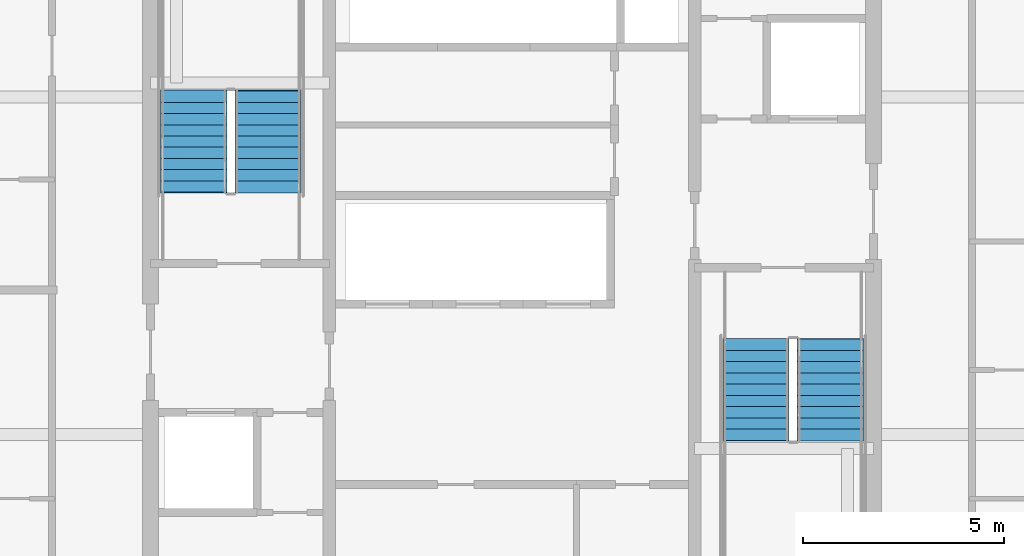
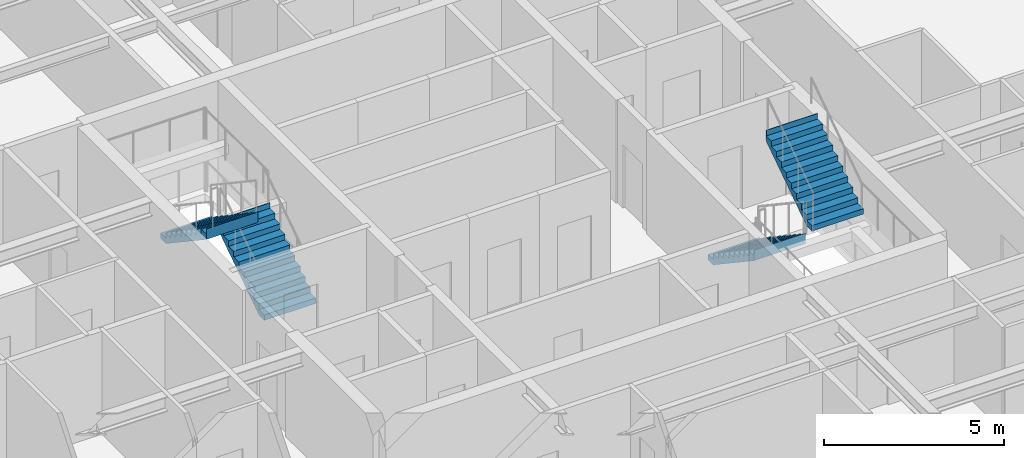
# One storey, part 32 of 37: 4 stair flights, 2 elements without a shape of their own.
"""IFC4 building model written with IfcOpenShell, lengths in metres."""

from ifc_helpers import new_model, si_unit, direction, frame, origin, place, context, subcontext, project, spatial, polygons, material, type_object, element, aggregate, save


model = new_model("IFC4")

# Units and contexts
model_context = context("Model", 3, precision=1e-05, world=origin(), true_north=direction((0.0, 1.0)))
body_context = subcontext(model_context, "Body", "Model", "MODEL_VIEW")
ifc_project = project(units=[si_unit("LENGTHUNIT", "METRE"), si_unit("AREAUNIT", "SQUARE_METRE"), si_unit("VOLUMEUNIT", "CUBIC_METRE"), si_unit("PLANEANGLEUNIT", "RADIAN"), si_unit("MASSUNIT", "GRAM", prefix="KILO")], contexts=[model_context])

# Site, building, storey
site_placement = place(None, origin())
site = spatial("IfcSite", under=ifc_project, at=site_placement, CompositionType="ELEMENT")
building_placement = place(site_placement, origin())
building = spatial("IfcBuilding", under=site, at=building_placement, Name="Serunith Strait Residences", CompositionType="ELEMENT")
storey_placement = place(building_placement, frame((0.0, 0.0, 153.89990234375)))
storey = spatial("IfcBuildingStorey", under=building, at=storey_placement, Name="L38", CompositionType="ELEMENT", Elevation=153.89990234375)

# Stair, stair flights
ifc_material = material(Name="Concrete C50/60", Category="concrete")
stair_type_1 = type_object("IfcStairType", Name="STR-CORE-1", PredefinedType="HALF_TURN_STAIR", material=ifc_material)
stair_1_placement = place(storey_placement, origin())
stair_1 = element("IfcStair", 1, at=stair_1_placement, inside=storey, type_object=stair_type_1, Name="L38 Protected Escape Stair ST-1", PredefinedType="HALF_TURN_STAIR")
stair_flight_type_1 = type_object("IfcStairFlightType", Name="FLT-CORE-1", PredefinedType="STRAIGHT", material=ifc_material)
stair_flight_1_placement = place(storey_placement, frame((26.324951171875, 27.030029296875, 0.0), z_axis=(0.0, 0.0, 1.0), x_axis=(0.0, 1.0, 0.0)))
stair_flight_1 = element("IfcStairFlight", 2, at=stair_flight_1_placement, type_object=stair_flight_type_1, Name="ST-1 flight 1", NumberOfRisers=10, NumberOfTreads=9, PredefinedType="STRAIGHT", RiserHeight=0.1875, TreadLength=0.28, context=body_context, shape_type="Tessellation", body=[
    polygons([(-0.02001953125, -0.824951171875, 0.0), (-0.02001953125, -0.824951171875, 0.1875), (0.280029296875, -0.824951171875, 0.1875), (0.280029296875, -0.824951171875, 0.375), (0.56005859375, -0.824951171875, 0.375), (0.56005859375, -0.824951171875, 0.5625), (0.840087890625, -0.824951171875, 0.5625), (0.840087890625, -0.824951171875, 0.75), (1.1201171875, -0.824951171875, 0.75), (1.1201171875, -0.824951171875, 0.9375), (1.39990234375, -0.824951171875, 0.9375), (1.39990234375, -0.824951171875, 1.125), (1.679931640625, -0.824951171875, 1.125), (1.679931640625, -0.824951171875, 1.3125), (1.9599609375, -0.824951171875, 1.3125), (1.9599609375, -0.824951171875, 1.5), (2.239990234375, -0.824951171875, 1.5), (2.239990234375, -0.824951171875, 1.6875), (2.52001953125, -0.824951171875, 1.6875), (2.52001953125, -0.824951171875, 1.875), (2.5400390625, -0.824951171875, 1.875), (2.5400390625, -0.824951171875, 1.81494140625), (2.52001953125, -0.824951171875, 1.507080078125), (0.26953125, -0.824951171875, 0.0), (-0.02001953125, -0.41259765625, 0.0), (-0.02001953125, -0.41259765625, 0.1875), (0.280029296875, -0.41259765625, 0.1875), (0.280029296875, -0.41259765625, 0.375), (0.56005859375, -0.41259765625, 0.375), (0.56005859375, -0.41259765625, 0.5625), (0.840087890625, -0.41259765625, 0.5625), (0.840087890625, -0.41259765625, 0.75), (1.1201171875, -0.41259765625, 0.75), (1.1201171875, -0.41259765625, 0.9375), (1.39990234375, -0.41259765625, 0.9375), (1.39990234375, -0.41259765625, 1.125), (1.679931640625, -0.41259765625, 1.125), (1.679931640625, -0.41259765625, 1.3125), (1.9599609375, -0.41259765625, 1.3125), (1.9599609375, -0.41259765625, 1.5), (2.239990234375, -0.41259765625, 1.5), (2.239990234375, -0.41259765625, 1.6875), (2.52001953125, -0.41259765625, 1.6875), (2.52001953125, -0.41259765625, 1.875), (2.5400390625, -0.41259765625, 1.875), (2.5400390625, -0.41259765625, 1.81494140625), (2.52001953125, -0.41259765625, 1.507080078125), (0.26953125, -0.41259765625, 0.0), (-0.02001953125, 0.0, 0.0), (-0.02001953125, 0.0, 0.1875), (0.280029296875, 0.0, 0.1875), (0.280029296875, 0.0, 0.375), (0.56005859375, 0.0, 0.375), (0.56005859375, 0.0, 0.5625), (0.840087890625, 0.0, 0.5625), (0.840087890625, 0.0, 0.75), (1.1201171875, 0.0, 0.75), (1.1201171875, 0.0, 0.9375), (1.39990234375, 0.0, 0.9375), (1.39990234375, 0.0, 1.125), (1.679931640625, 0.0, 1.125), (1.679931640625, 0.0, 1.3125), (1.9599609375, 0.0, 1.3125), (1.9599609375, 0.0, 1.5), (2.239990234375, 0.0, 1.5), (2.239990234375, 0.0, 1.6875), (2.52001953125, 0.0, 1.6875), (2.52001953125, 0.0, 1.875), (2.5400390625, 0.0, 1.875), (2.5400390625, 0.0, 1.81494140625), (2.52001953125, 0.0, 1.507080078125), (0.26953125, 0.0, 0.0), (-0.02001953125, 0.41259765625, 0.0), (-0.02001953125, 0.41259765625, 0.1875), (0.280029296875, 0.41259765625, 0.1875), (0.280029296875, 0.41259765625, 0.375), (0.56005859375, 0.41259765625, 0.375), (0.56005859375, 0.41259765625, 0.5625), (0.840087890625, 0.41259765625, 0.5625), (0.840087890625, 0.41259765625, 0.75), (1.1201171875, 0.41259765625, 0.75), (1.1201171875, 0.41259765625, 0.9375), (1.39990234375, 0.41259765625, 0.9375), (1.39990234375, 0.41259765625, 1.125), (1.679931640625, 0.41259765625, 1.125), (1.679931640625, 0.41259765625, 1.3125), (1.9599609375, 0.41259765625, 1.3125), (1.9599609375, 0.41259765625, 1.5), (2.239990234375, 0.41259765625, 1.5), (2.239990234375, 0.41259765625, 1.6875), (2.52001953125, 0.41259765625, 1.6875), (2.52001953125, 0.41259765625, 1.875), (2.5400390625, 0.41259765625, 1.875), (2.5400390625, 0.41259765625, 1.81494140625), (2.52001953125, 0.41259765625, 1.507080078125), (0.26953125, 0.41259765625, 0.0), (-0.02001953125, 0.824951171875, 0.0), (-0.02001953125, 0.824951171875, 0.1875), (0.280029296875, 0.824951171875, 0.1875), (0.280029296875, 0.824951171875, 0.375), (0.56005859375, 0.824951171875, 0.375), (0.56005859375, 0.824951171875, 0.5625), (0.840087890625, 0.824951171875, 0.5625), (0.840087890625, 0.824951171875, 0.75), (1.1201171875, 0.824951171875, 0.75), (1.1201171875, 0.824951171875, 0.9375), (1.39990234375, 0.824951171875, 0.9375), (1.39990234375, 0.824951171875, 1.125), (1.679931640625, 0.824951171875, 1.125), (1.679931640625, 0.824951171875, 1.3125), (1.9599609375, 0.824951171875, 1.3125), (1.9599609375, 0.824951171875, 1.5), (2.239990234375, 0.824951171875, 1.5), (2.239990234375, 0.824951171875, 1.6875), (2.52001953125, 0.824951171875, 1.6875), (2.52001953125, 0.824951171875, 1.875), (2.5400390625, 0.824951171875, 1.875), (2.5400390625, 0.824951171875, 1.81494140625), (2.52001953125, 0.824951171875, 1.507080078125), (0.26953125, 0.824951171875, 0.0)], [[[1, 2, 26, 25]], [[2, 3, 27, 26]], [[3, 4, 28, 27]], [[4, 5, 29, 28]], [[5, 6, 30, 29]], [[6, 7, 31, 30]], [[7, 8, 32, 31]], [[8, 9, 33, 32]], [[9, 10, 34, 33]], [[10, 11, 35, 34]], [[11, 12, 36, 35]], [[12, 13, 37, 36]], [[13, 14, 38, 37]], [[14, 15, 39, 38]], [[15, 16, 40, 39]], [[16, 17, 41, 40]], [[17, 18, 42, 41]], [[18, 19, 43, 42]], [[19, 20, 44, 43]], [[20, 21, 45, 44]], [[21, 22, 46, 45]], [[22, 23, 47, 46]], [[23, 24, 48, 47]], [[24, 1, 25, 48]], [[25, 26, 50, 49]], [[26, 27, 51, 50]], [[27, 28, 52, 51]], [[28, 29, 53, 52]], [[29, 30, 54, 53]], [[30, 31, 55, 54]], [[31, 32, 56, 55]], [[32, 33, 57, 56]], [[33, 34, 58, 57]], [[34, 35, 59, 58]], [[35, 36, 60, 59]], [[36, 37, 61, 60]], [[37, 38, 62, 61]], [[38, 39, 63, 62]], [[39, 40, 64, 63]], [[40, 41, 65, 64]], [[41, 42, 66, 65]], [[42, 43, 67, 66]], [[43, 44, 68, 67]], [[44, 45, 69, 68]], [[45, 46, 70, 69]], [[46, 47, 71, 70]], [[47, 48, 72, 71]], [[48, 25, 49, 72]], [[49, 50, 74, 73]], [[50, 51, 75, 74]], [[51, 52, 76, 75]], [[52, 53, 77, 76]], [[53, 54, 78, 77]], [[54, 55, 79, 78]], [[55, 56, 80, 79]], [[56, 57, 81, 80]], [[57, 58, 82, 81]], [[58, 59, 83, 82]], [[59, 60, 84, 83]], [[60, 61, 85, 84]], [[61, 62, 86, 85]], [[62, 63, 87, 86]], [[63, 64, 88, 87]], [[64, 65, 89, 88]], [[65, 66, 90, 89]], [[66, 67, 91, 90]], [[67, 68, 92, 91]], [[68, 69, 93, 92]], [[69, 70, 94, 93]], [[70, 71, 95, 94]], [[71, 72, 96, 95]], [[72, 49, 73, 96]], [[73, 74, 98, 97]], [[74, 75, 99, 98]], [[75, 76, 100, 99]], [[76, 77, 101, 100]], [[77, 78, 102, 101]], [[78, 79, 103, 102]], [[79, 80, 104, 103]], [[80, 81, 105, 104]], [[81, 82, 106, 105]], [[82, 83, 107, 106]], [[83, 84, 108, 107]], [[84, 85, 109, 108]], [[85, 86, 110, 109]], [[86, 87, 111, 110]], [[87, 88, 112, 111]], [[88, 89, 113, 112]], [[89, 90, 114, 113]], [[90, 91, 115, 114]], [[91, 92, 116, 115]], [[92, 93, 117, 116]], [[93, 94, 118, 117]], [[94, 95, 119, 118]], [[95, 96, 120, 119]], [[96, 73, 97, 120]], [[24, 23, 22, 21, 20, 19, 18, 17, 16, 15, 14, 13, 12, 11, 10, 9, 8, 7, 6, 5, 4, 3, 2, 1]], [[97, 98, 99, 100, 101, 102, 103, 104, 105, 106, 107, 108, 109, 110, 111, 112, 113, 114, 115, 116, 117, 118, 119, 120]]], closed=True),
])
stair_flight_2_placement = place(storey_placement, frame((24.47509765625, 29.550048828125, 1.875), z_axis=(0.0, 0.0, 1.0), x_axis=(0.0, -1.0, 0.0)))
stair_flight_2 = element("IfcStairFlight", 3, at=stair_flight_2_placement, type_object=stair_flight_type_1, Name="ST-1 flight 2", NumberOfRisers=10, NumberOfTreads=9, PredefinedType="STRAIGHT", RiserHeight=0.1875, TreadLength=0.28, context=body_context, shape_type="Tessellation", body=[
    polygons([(-0.02001953125, -0.824951171875, 0.0), (-0.02001953125, -0.824951171875, 0.1875), (0.280029296875, -0.824951171875, 0.1875), (0.280029296875, -0.824951171875, 0.375), (0.56005859375, -0.824951171875, 0.375), (0.56005859375, -0.824951171875, 0.5625), (0.840087890625, -0.824951171875, 0.5625), (0.840087890625, -0.824951171875, 0.75), (1.1201171875, -0.824951171875, 0.75), (1.1201171875, -0.824951171875, 0.9375), (1.39990234375, -0.824951171875, 0.9375), (1.39990234375, -0.824951171875, 1.125), (1.679931640625, -0.824951171875, 1.125), (1.679931640625, -0.824951171875, 1.3125), (1.9599609375, -0.824951171875, 1.3125), (1.9599609375, -0.824951171875, 1.5), (2.239990234375, -0.824951171875, 1.5), (2.239990234375, -0.824951171875, 1.6875), (2.52001953125, -0.824951171875, 1.6875), (2.52001953125, -0.824951171875, 1.875), (2.5400390625, -0.824951171875, 1.875), (2.5400390625, -0.824951171875, 1.81494140625), (2.52001953125, -0.824951171875, 1.507080078125), (0.26953125, -0.824951171875, 0.0), (-0.02001953125, -0.41259765625, 0.0), (-0.02001953125, -0.41259765625, 0.1875), (0.280029296875, -0.41259765625, 0.1875), (0.280029296875, -0.41259765625, 0.375), (0.56005859375, -0.41259765625, 0.375), (0.56005859375, -0.41259765625, 0.5625), (0.840087890625, -0.41259765625, 0.5625), (0.840087890625, -0.41259765625, 0.75), (1.1201171875, -0.41259765625, 0.75), (1.1201171875, -0.41259765625, 0.9375), (1.39990234375, -0.41259765625, 0.9375), (1.39990234375, -0.41259765625, 1.125), (1.679931640625, -0.41259765625, 1.125), (1.679931640625, -0.41259765625, 1.3125), (1.9599609375, -0.41259765625, 1.3125), (1.9599609375, -0.41259765625, 1.5), (2.239990234375, -0.41259765625, 1.5), (2.239990234375, -0.41259765625, 1.6875), (2.52001953125, -0.41259765625, 1.6875), (2.52001953125, -0.41259765625, 1.875), (2.5400390625, -0.41259765625, 1.875), (2.5400390625, -0.41259765625, 1.81494140625), (2.52001953125, -0.41259765625, 1.507080078125), (0.26953125, -0.41259765625, 0.0), (-0.02001953125, 0.0, 0.0), (-0.02001953125, 0.0, 0.1875), (0.280029296875, 0.0, 0.1875), (0.280029296875, 0.0, 0.375), (0.56005859375, 0.0, 0.375), (0.56005859375, 0.0, 0.5625), (0.840087890625, 0.0, 0.5625), (0.840087890625, 0.0, 0.75), (1.1201171875, 0.0, 0.75), (1.1201171875, 0.0, 0.9375), (1.39990234375, 0.0, 0.9375), (1.39990234375, 0.0, 1.125), (1.679931640625, 0.0, 1.125), (1.679931640625, 0.0, 1.3125), (1.9599609375, 0.0, 1.3125), (1.9599609375, 0.0, 1.5), (2.239990234375, 0.0, 1.5), (2.239990234375, 0.0, 1.6875), (2.52001953125, 0.0, 1.6875), (2.52001953125, 0.0, 1.875), (2.5400390625, 0.0, 1.875), (2.5400390625, 0.0, 1.81494140625), (2.52001953125, 0.0, 1.507080078125), (0.26953125, 0.0, 0.0), (-0.02001953125, 0.41259765625, 0.0), (-0.02001953125, 0.41259765625, 0.1875), (0.280029296875, 0.41259765625, 0.1875), (0.280029296875, 0.41259765625, 0.375), (0.56005859375, 0.41259765625, 0.375), (0.56005859375, 0.41259765625, 0.5625), (0.840087890625, 0.41259765625, 0.5625), (0.840087890625, 0.41259765625, 0.75), (1.1201171875, 0.41259765625, 0.75), (1.1201171875, 0.41259765625, 0.9375), (1.39990234375, 0.41259765625, 0.9375), (1.39990234375, 0.41259765625, 1.125), (1.679931640625, 0.41259765625, 1.125), (1.679931640625, 0.41259765625, 1.3125), (1.9599609375, 0.41259765625, 1.3125), (1.9599609375, 0.41259765625, 1.5), (2.239990234375, 0.41259765625, 1.5), (2.239990234375, 0.41259765625, 1.6875), (2.52001953125, 0.41259765625, 1.6875), (2.52001953125, 0.41259765625, 1.875), (2.5400390625, 0.41259765625, 1.875), (2.5400390625, 0.41259765625, 1.81494140625), (2.52001953125, 0.41259765625, 1.507080078125), (0.26953125, 0.41259765625, 0.0), (-0.02001953125, 0.824951171875, 0.0), (-0.02001953125, 0.824951171875, 0.1875), (0.280029296875, 0.824951171875, 0.1875), (0.280029296875, 0.824951171875, 0.375), (0.56005859375, 0.824951171875, 0.375), (0.56005859375, 0.824951171875, 0.5625), (0.840087890625, 0.824951171875, 0.5625), (0.840087890625, 0.824951171875, 0.75), (1.1201171875, 0.824951171875, 0.75), (1.1201171875, 0.824951171875, 0.9375), (1.39990234375, 0.824951171875, 0.9375), (1.39990234375, 0.824951171875, 1.125), (1.679931640625, 0.824951171875, 1.125), (1.679931640625, 0.824951171875, 1.3125), (1.9599609375, 0.824951171875, 1.3125), (1.9599609375, 0.824951171875, 1.5), (2.239990234375, 0.824951171875, 1.5), (2.239990234375, 0.824951171875, 1.6875), (2.52001953125, 0.824951171875, 1.6875), (2.52001953125, 0.824951171875, 1.875), (2.5400390625, 0.824951171875, 1.875), (2.5400390625, 0.824951171875, 1.81494140625), (2.52001953125, 0.824951171875, 1.507080078125), (0.26953125, 0.824951171875, 0.0)], [[[1, 2, 26, 25]], [[2, 3, 27, 26]], [[3, 4, 28, 27]], [[4, 5, 29, 28]], [[5, 6, 30, 29]], [[6, 7, 31, 30]], [[7, 8, 32, 31]], [[8, 9, 33, 32]], [[9, 10, 34, 33]], [[10, 11, 35, 34]], [[11, 12, 36, 35]], [[12, 13, 37, 36]], [[13, 14, 38, 37]], [[14, 15, 39, 38]], [[15, 16, 40, 39]], [[16, 17, 41, 40]], [[17, 18, 42, 41]], [[18, 19, 43, 42]], [[19, 20, 44, 43]], [[20, 21, 45, 44]], [[21, 22, 46, 45]], [[22, 23, 47, 46]], [[23, 24, 48, 47]], [[24, 1, 25, 48]], [[25, 26, 50, 49]], [[26, 27, 51, 50]], [[27, 28, 52, 51]], [[28, 29, 53, 52]], [[29, 30, 54, 53]], [[30, 31, 55, 54]], [[31, 32, 56, 55]], [[32, 33, 57, 56]], [[33, 34, 58, 57]], [[34, 35, 59, 58]], [[35, 36, 60, 59]], [[36, 37, 61, 60]], [[37, 38, 62, 61]], [[38, 39, 63, 62]], [[39, 40, 64, 63]], [[40, 41, 65, 64]], [[41, 42, 66, 65]], [[42, 43, 67, 66]], [[43, 44, 68, 67]], [[44, 45, 69, 68]], [[45, 46, 70, 69]], [[46, 47, 71, 70]], [[47, 48, 72, 71]], [[48, 25, 49, 72]], [[49, 50, 74, 73]], [[50, 51, 75, 74]], [[51, 52, 76, 75]], [[52, 53, 77, 76]], [[53, 54, 78, 77]], [[54, 55, 79, 78]], [[55, 56, 80, 79]], [[56, 57, 81, 80]], [[57, 58, 82, 81]], [[58, 59, 83, 82]], [[59, 60, 84, 83]], [[60, 61, 85, 84]], [[61, 62, 86, 85]], [[62, 63, 87, 86]], [[63, 64, 88, 87]], [[64, 65, 89, 88]], [[65, 66, 90, 89]], [[66, 67, 91, 90]], [[67, 68, 92, 91]], [[68, 69, 93, 92]], [[69, 70, 94, 93]], [[70, 71, 95, 94]], [[71, 72, 96, 95]], [[72, 49, 73, 96]], [[73, 74, 98, 97]], [[74, 75, 99, 98]], [[75, 76, 100, 99]], [[76, 77, 101, 100]], [[77, 78, 102, 101]], [[78, 79, 103, 102]], [[79, 80, 104, 103]], [[80, 81, 105, 104]], [[81, 82, 106, 105]], [[82, 83, 107, 106]], [[83, 84, 108, 107]], [[84, 85, 109, 108]], [[85, 86, 110, 109]], [[86, 87, 111, 110]], [[87, 88, 112, 111]], [[88, 89, 113, 112]], [[89, 90, 114, 113]], [[90, 91, 115, 114]], [[91, 92, 116, 115]], [[92, 93, 117, 116]], [[93, 94, 118, 117]], [[94, 95, 119, 118]], [[95, 96, 120, 119]], [[96, 73, 97, 120]], [[24, 23, 22, 21, 20, 19, 18, 17, 16, 15, 14, 13, 12, 11, 10, 9, 8, 7, 6, 5, 4, 3, 2, 1]], [[97, 98, 99, 100, 101, 102, 103, 104, 105, 106, 107, 108, 109, 110, 111, 112, 113, 114, 115, 116, 117, 118, 119, 120]]], closed=True),
])
aggregate(stair_1, [stair_flight_1, stair_flight_2])

stair_type_2 = type_object("IfcStairType", Name="STR-CORE-2", PredefinedType="HALF_TURN_STAIR", material=ifc_material)
stair_2_placement = place(storey_placement, origin())
stair_2 = element("IfcStair", 4, at=stair_2_placement, inside=storey, type_object=stair_type_2, Name="L38 Protected Escape Stair ST-2", PredefinedType="HALF_TURN_STAIR")
stair_flight_type_2 = type_object("IfcStairFlightType", Name="FLT-CORE-2", PredefinedType="STRAIGHT", material=ifc_material)
stair_flight_3_placement = place(storey_placement, frame((38.47509765625, 23.3701171875, 0.0), z_axis=(0.0, 0.0, 1.0), x_axis=(0.0, -1.0, 0.0)))
stair_flight_3 = element("IfcStairFlight", 5, at=stair_flight_3_placement, type_object=stair_flight_type_2, Name="ST-2 flight 1", NumberOfRisers=10, NumberOfTreads=9, PredefinedType="STRAIGHT", RiserHeight=0.1875, TreadLength=0.28, context=body_context, shape_type="Tessellation", body=[
    polygons([(-0.02001953125, -0.824951171875, 0.0), (-0.02001953125, -0.824951171875, 0.1875), (0.280029296875, -0.824951171875, 0.1875), (0.280029296875, -0.824951171875, 0.375), (0.56005859375, -0.824951171875, 0.375), (0.56005859375, -0.824951171875, 0.5625), (0.840087890625, -0.824951171875, 0.5625), (0.840087890625, -0.824951171875, 0.75), (1.1201171875, -0.824951171875, 0.75), (1.1201171875, -0.824951171875, 0.9375), (1.39990234375, -0.824951171875, 0.9375), (1.39990234375, -0.824951171875, 1.125), (1.679931640625, -0.824951171875, 1.125), (1.679931640625, -0.824951171875, 1.3125), (1.9599609375, -0.824951171875, 1.3125), (1.9599609375, -0.824951171875, 1.5), (2.239990234375, -0.824951171875, 1.5), (2.239990234375, -0.824951171875, 1.6875), (2.52001953125, -0.824951171875, 1.6875), (2.52001953125, -0.824951171875, 1.875), (2.5400390625, -0.824951171875, 1.875), (2.5400390625, -0.824951171875, 1.81494140625), (2.52001953125, -0.824951171875, 1.507080078125), (0.26953125, -0.824951171875, 0.0), (-0.02001953125, -0.41259765625, 0.0), (-0.02001953125, -0.41259765625, 0.1875), (0.280029296875, -0.41259765625, 0.1875), (0.280029296875, -0.41259765625, 0.375), (0.56005859375, -0.41259765625, 0.375), (0.56005859375, -0.41259765625, 0.5625), (0.840087890625, -0.41259765625, 0.5625), (0.840087890625, -0.41259765625, 0.75), (1.1201171875, -0.41259765625, 0.75), (1.1201171875, -0.41259765625, 0.9375), (1.39990234375, -0.41259765625, 0.9375), (1.39990234375, -0.41259765625, 1.125), (1.679931640625, -0.41259765625, 1.125), (1.679931640625, -0.41259765625, 1.3125), (1.9599609375, -0.41259765625, 1.3125), (1.9599609375, -0.41259765625, 1.5), (2.239990234375, -0.41259765625, 1.5), (2.239990234375, -0.41259765625, 1.6875), (2.52001953125, -0.41259765625, 1.6875), (2.52001953125, -0.41259765625, 1.875), (2.5400390625, -0.41259765625, 1.875), (2.5400390625, -0.41259765625, 1.81494140625), (2.52001953125, -0.41259765625, 1.507080078125), (0.26953125, -0.41259765625, 0.0), (-0.02001953125, 0.0, 0.0), (-0.02001953125, 0.0, 0.1875), (0.280029296875, 0.0, 0.1875), (0.280029296875, 0.0, 0.375), (0.56005859375, 0.0, 0.375), (0.56005859375, 0.0, 0.5625), (0.840087890625, 0.0, 0.5625), (0.840087890625, 0.0, 0.75), (1.1201171875, 0.0, 0.75), (1.1201171875, 0.0, 0.9375), (1.39990234375, 0.0, 0.9375), (1.39990234375, 0.0, 1.125), (1.679931640625, 0.0, 1.125), (1.679931640625, 0.0, 1.3125), (1.9599609375, 0.0, 1.3125), (1.9599609375, 0.0, 1.5), (2.239990234375, 0.0, 1.5), (2.239990234375, 0.0, 1.6875), (2.52001953125, 0.0, 1.6875), (2.52001953125, 0.0, 1.875), (2.5400390625, 0.0, 1.875), (2.5400390625, 0.0, 1.81494140625), (2.52001953125, 0.0, 1.507080078125), (0.26953125, 0.0, 0.0), (-0.02001953125, 0.41259765625, 0.0), (-0.02001953125, 0.41259765625, 0.1875), (0.280029296875, 0.41259765625, 0.1875), (0.280029296875, 0.41259765625, 0.375), (0.56005859375, 0.41259765625, 0.375), (0.56005859375, 0.41259765625, 0.5625), (0.840087890625, 0.41259765625, 0.5625), (0.840087890625, 0.41259765625, 0.75), (1.1201171875, 0.41259765625, 0.75), (1.1201171875, 0.41259765625, 0.9375), (1.39990234375, 0.41259765625, 0.9375), (1.39990234375, 0.41259765625, 1.125), (1.679931640625, 0.41259765625, 1.125), (1.679931640625, 0.41259765625, 1.3125), (1.9599609375, 0.41259765625, 1.3125), (1.9599609375, 0.41259765625, 1.5), (2.239990234375, 0.41259765625, 1.5), (2.239990234375, 0.41259765625, 1.6875), (2.52001953125, 0.41259765625, 1.6875), (2.52001953125, 0.41259765625, 1.875), (2.5400390625, 0.41259765625, 1.875), (2.5400390625, 0.41259765625, 1.81494140625), (2.52001953125, 0.41259765625, 1.507080078125), (0.26953125, 0.41259765625, 0.0), (-0.02001953125, 0.824951171875, 0.0), (-0.02001953125, 0.824951171875, 0.1875), (0.280029296875, 0.824951171875, 0.1875), (0.280029296875, 0.824951171875, 0.375), (0.56005859375, 0.824951171875, 0.375), (0.56005859375, 0.824951171875, 0.5625), (0.840087890625, 0.824951171875, 0.5625), (0.840087890625, 0.824951171875, 0.75), (1.1201171875, 0.824951171875, 0.75), (1.1201171875, 0.824951171875, 0.9375), (1.39990234375, 0.824951171875, 0.9375), (1.39990234375, 0.824951171875, 1.125), (1.679931640625, 0.824951171875, 1.125), (1.679931640625, 0.824951171875, 1.3125), (1.9599609375, 0.824951171875, 1.3125), (1.9599609375, 0.824951171875, 1.5), (2.239990234375, 0.824951171875, 1.5), (2.239990234375, 0.824951171875, 1.6875), (2.52001953125, 0.824951171875, 1.6875), (2.52001953125, 0.824951171875, 1.875), (2.5400390625, 0.824951171875, 1.875), (2.5400390625, 0.824951171875, 1.81494140625), (2.52001953125, 0.824951171875, 1.507080078125), (0.26953125, 0.824951171875, 0.0)], [[[1, 2, 26, 25]], [[2, 3, 27, 26]], [[3, 4, 28, 27]], [[4, 5, 29, 28]], [[5, 6, 30, 29]], [[6, 7, 31, 30]], [[7, 8, 32, 31]], [[8, 9, 33, 32]], [[9, 10, 34, 33]], [[10, 11, 35, 34]], [[11, 12, 36, 35]], [[12, 13, 37, 36]], [[13, 14, 38, 37]], [[14, 15, 39, 38]], [[15, 16, 40, 39]], [[16, 17, 41, 40]], [[17, 18, 42, 41]], [[18, 19, 43, 42]], [[19, 20, 44, 43]], [[20, 21, 45, 44]], [[21, 22, 46, 45]], [[22, 23, 47, 46]], [[23, 24, 48, 47]], [[24, 1, 25, 48]], [[25, 26, 50, 49]], [[26, 27, 51, 50]], [[27, 28, 52, 51]], [[28, 29, 53, 52]], [[29, 30, 54, 53]], [[30, 31, 55, 54]], [[31, 32, 56, 55]], [[32, 33, 57, 56]], [[33, 34, 58, 57]], [[34, 35, 59, 58]], [[35, 36, 60, 59]], [[36, 37, 61, 60]], [[37, 38, 62, 61]], [[38, 39, 63, 62]], [[39, 40, 64, 63]], [[40, 41, 65, 64]], [[41, 42, 66, 65]], [[42, 43, 67, 66]], [[43, 44, 68, 67]], [[44, 45, 69, 68]], [[45, 46, 70, 69]], [[46, 47, 71, 70]], [[47, 48, 72, 71]], [[48, 25, 49, 72]], [[49, 50, 74, 73]], [[50, 51, 75, 74]], [[51, 52, 76, 75]], [[52, 53, 77, 76]], [[53, 54, 78, 77]], [[54, 55, 79, 78]], [[55, 56, 80, 79]], [[56, 57, 81, 80]], [[57, 58, 82, 81]], [[58, 59, 83, 82]], [[59, 60, 84, 83]], [[60, 61, 85, 84]], [[61, 62, 86, 85]], [[62, 63, 87, 86]], [[63, 64, 88, 87]], [[64, 65, 89, 88]], [[65, 66, 90, 89]], [[66, 67, 91, 90]], [[67, 68, 92, 91]], [[68, 69, 93, 92]], [[69, 70, 94, 93]], [[70, 71, 95, 94]], [[71, 72, 96, 95]], [[72, 49, 73, 96]], [[73, 74, 98, 97]], [[74, 75, 99, 98]], [[75, 76, 100, 99]], [[76, 77, 101, 100]], [[77, 78, 102, 101]], [[78, 79, 103, 102]], [[79, 80, 104, 103]], [[80, 81, 105, 104]], [[81, 82, 106, 105]], [[82, 83, 107, 106]], [[83, 84, 108, 107]], [[84, 85, 109, 108]], [[85, 86, 110, 109]], [[86, 87, 111, 110]], [[87, 88, 112, 111]], [[88, 89, 113, 112]], [[89, 90, 114, 113]], [[90, 91, 115, 114]], [[91, 92, 116, 115]], [[92, 93, 117, 116]], [[93, 94, 118, 117]], [[94, 95, 119, 118]], [[95, 96, 120, 119]], [[96, 73, 97, 120]], [[24, 23, 22, 21, 20, 19, 18, 17, 16, 15, 14, 13, 12, 11, 10, 9, 8, 7, 6, 5, 4, 3, 2, 1]], [[97, 98, 99, 100, 101, 102, 103, 104, 105, 106, 107, 108, 109, 110, 111, 112, 113, 114, 115, 116, 117, 118, 119, 120]]], closed=True),
])
stair_flight_4_placement = place(storey_placement, frame((40.324951171875, 20.85009765625, 1.875), z_axis=(0.0, 0.0, 1.0), x_axis=(0.0, 1.0, 0.0)))
stair_flight_4 = element("IfcStairFlight", 6, at=stair_flight_4_placement, type_object=stair_flight_type_2, Name="ST-2 flight 2", NumberOfRisers=10, NumberOfTreads=9, PredefinedType="STRAIGHT", RiserHeight=0.1875, TreadLength=0.28, context=body_context, shape_type="Tessellation", body=[
    polygons([(-0.02001953125, -0.824951171875, 0.0), (-0.02001953125, -0.824951171875, 0.1875), (0.280029296875, -0.824951171875, 0.1875), (0.280029296875, -0.824951171875, 0.375), (0.56005859375, -0.824951171875, 0.375), (0.56005859375, -0.824951171875, 0.5625), (0.840087890625, -0.824951171875, 0.5625), (0.840087890625, -0.824951171875, 0.75), (1.1201171875, -0.824951171875, 0.75), (1.1201171875, -0.824951171875, 0.9375), (1.39990234375, -0.824951171875, 0.9375), (1.39990234375, -0.824951171875, 1.125), (1.679931640625, -0.824951171875, 1.125), (1.679931640625, -0.824951171875, 1.3125), (1.9599609375, -0.824951171875, 1.3125), (1.9599609375, -0.824951171875, 1.5), (2.239990234375, -0.824951171875, 1.5), (2.239990234375, -0.824951171875, 1.6875), (2.52001953125, -0.824951171875, 1.6875), (2.52001953125, -0.824951171875, 1.875), (2.5400390625, -0.824951171875, 1.875), (2.5400390625, -0.824951171875, 1.81494140625), (2.52001953125, -0.824951171875, 1.507080078125), (0.26953125, -0.824951171875, 0.0), (-0.02001953125, -0.41259765625, 0.0), (-0.02001953125, -0.41259765625, 0.1875), (0.280029296875, -0.41259765625, 0.1875), (0.280029296875, -0.41259765625, 0.375), (0.56005859375, -0.41259765625, 0.375), (0.56005859375, -0.41259765625, 0.5625), (0.840087890625, -0.41259765625, 0.5625), (0.840087890625, -0.41259765625, 0.75), (1.1201171875, -0.41259765625, 0.75), (1.1201171875, -0.41259765625, 0.9375), (1.39990234375, -0.41259765625, 0.9375), (1.39990234375, -0.41259765625, 1.125), (1.679931640625, -0.41259765625, 1.125), (1.679931640625, -0.41259765625, 1.3125), (1.9599609375, -0.41259765625, 1.3125), (1.9599609375, -0.41259765625, 1.5), (2.239990234375, -0.41259765625, 1.5), (2.239990234375, -0.41259765625, 1.6875), (2.52001953125, -0.41259765625, 1.6875), (2.52001953125, -0.41259765625, 1.875), (2.5400390625, -0.41259765625, 1.875), (2.5400390625, -0.41259765625, 1.81494140625), (2.52001953125, -0.41259765625, 1.507080078125), (0.26953125, -0.41259765625, 0.0), (-0.02001953125, 0.0, 0.0), (-0.02001953125, 0.0, 0.1875), (0.280029296875, 0.0, 0.1875), (0.280029296875, 0.0, 0.375), (0.56005859375, 0.0, 0.375), (0.56005859375, 0.0, 0.5625), (0.840087890625, 0.0, 0.5625), (0.840087890625, 0.0, 0.75), (1.1201171875, 0.0, 0.75), (1.1201171875, 0.0, 0.9375), (1.39990234375, 0.0, 0.9375), (1.39990234375, 0.0, 1.125), (1.679931640625, 0.0, 1.125), (1.679931640625, 0.0, 1.3125), (1.9599609375, 0.0, 1.3125), (1.9599609375, 0.0, 1.5), (2.239990234375, 0.0, 1.5), (2.239990234375, 0.0, 1.6875), (2.52001953125, 0.0, 1.6875), (2.52001953125, 0.0, 1.875), (2.5400390625, 0.0, 1.875), (2.5400390625, 0.0, 1.81494140625), (2.52001953125, 0.0, 1.507080078125), (0.26953125, 0.0, 0.0), (-0.02001953125, 0.41259765625, 0.0), (-0.02001953125, 0.41259765625, 0.1875), (0.280029296875, 0.41259765625, 0.1875), (0.280029296875, 0.41259765625, 0.375), (0.56005859375, 0.41259765625, 0.375), (0.56005859375, 0.41259765625, 0.5625), (0.840087890625, 0.41259765625, 0.5625), (0.840087890625, 0.41259765625, 0.75), (1.1201171875, 0.41259765625, 0.75), (1.1201171875, 0.41259765625, 0.9375), (1.39990234375, 0.41259765625, 0.9375), (1.39990234375, 0.41259765625, 1.125), (1.679931640625, 0.41259765625, 1.125), (1.679931640625, 0.41259765625, 1.3125), (1.9599609375, 0.41259765625, 1.3125), (1.9599609375, 0.41259765625, 1.5), (2.239990234375, 0.41259765625, 1.5), (2.239990234375, 0.41259765625, 1.6875), (2.52001953125, 0.41259765625, 1.6875), (2.52001953125, 0.41259765625, 1.875), (2.5400390625, 0.41259765625, 1.875), (2.5400390625, 0.41259765625, 1.81494140625), (2.52001953125, 0.41259765625, 1.507080078125), (0.26953125, 0.41259765625, 0.0), (-0.02001953125, 0.824951171875, 0.0), (-0.02001953125, 0.824951171875, 0.1875), (0.280029296875, 0.824951171875, 0.1875), (0.280029296875, 0.824951171875, 0.375), (0.56005859375, 0.824951171875, 0.375), (0.56005859375, 0.824951171875, 0.5625), (0.840087890625, 0.824951171875, 0.5625), (0.840087890625, 0.824951171875, 0.75), (1.1201171875, 0.824951171875, 0.75), (1.1201171875, 0.824951171875, 0.9375), (1.39990234375, 0.824951171875, 0.9375), (1.39990234375, 0.824951171875, 1.125), (1.679931640625, 0.824951171875, 1.125), (1.679931640625, 0.824951171875, 1.3125), (1.9599609375, 0.824951171875, 1.3125), (1.9599609375, 0.824951171875, 1.5), (2.239990234375, 0.824951171875, 1.5), (2.239990234375, 0.824951171875, 1.6875), (2.52001953125, 0.824951171875, 1.6875), (2.52001953125, 0.824951171875, 1.875), (2.5400390625, 0.824951171875, 1.875), (2.5400390625, 0.824951171875, 1.81494140625), (2.52001953125, 0.824951171875, 1.507080078125), (0.26953125, 0.824951171875, 0.0)], [[[1, 2, 26, 25]], [[2, 3, 27, 26]], [[3, 4, 28, 27]], [[4, 5, 29, 28]], [[5, 6, 30, 29]], [[6, 7, 31, 30]], [[7, 8, 32, 31]], [[8, 9, 33, 32]], [[9, 10, 34, 33]], [[10, 11, 35, 34]], [[11, 12, 36, 35]], [[12, 13, 37, 36]], [[13, 14, 38, 37]], [[14, 15, 39, 38]], [[15, 16, 40, 39]], [[16, 17, 41, 40]], [[17, 18, 42, 41]], [[18, 19, 43, 42]], [[19, 20, 44, 43]], [[20, 21, 45, 44]], [[21, 22, 46, 45]], [[22, 23, 47, 46]], [[23, 24, 48, 47]], [[24, 1, 25, 48]], [[25, 26, 50, 49]], [[26, 27, 51, 50]], [[27, 28, 52, 51]], [[28, 29, 53, 52]], [[29, 30, 54, 53]], [[30, 31, 55, 54]], [[31, 32, 56, 55]], [[32, 33, 57, 56]], [[33, 34, 58, 57]], [[34, 35, 59, 58]], [[35, 36, 60, 59]], [[36, 37, 61, 60]], [[37, 38, 62, 61]], [[38, 39, 63, 62]], [[39, 40, 64, 63]], [[40, 41, 65, 64]], [[41, 42, 66, 65]], [[42, 43, 67, 66]], [[43, 44, 68, 67]], [[44, 45, 69, 68]], [[45, 46, 70, 69]], [[46, 47, 71, 70]], [[47, 48, 72, 71]], [[48, 25, 49, 72]], [[49, 50, 74, 73]], [[50, 51, 75, 74]], [[51, 52, 76, 75]], [[52, 53, 77, 76]], [[53, 54, 78, 77]], [[54, 55, 79, 78]], [[55, 56, 80, 79]], [[56, 57, 81, 80]], [[57, 58, 82, 81]], [[58, 59, 83, 82]], [[59, 60, 84, 83]], [[60, 61, 85, 84]], [[61, 62, 86, 85]], [[62, 63, 87, 86]], [[63, 64, 88, 87]], [[64, 65, 89, 88]], [[65, 66, 90, 89]], [[66, 67, 91, 90]], [[67, 68, 92, 91]], [[68, 69, 93, 92]], [[69, 70, 94, 93]], [[70, 71, 95, 94]], [[71, 72, 96, 95]], [[72, 49, 73, 96]], [[73, 74, 98, 97]], [[74, 75, 99, 98]], [[75, 76, 100, 99]], [[76, 77, 101, 100]], [[77, 78, 102, 101]], [[78, 79, 103, 102]], [[79, 80, 104, 103]], [[80, 81, 105, 104]], [[81, 82, 106, 105]], [[82, 83, 107, 106]], [[83, 84, 108, 107]], [[84, 85, 109, 108]], [[85, 86, 110, 109]], [[86, 87, 111, 110]], [[87, 88, 112, 111]], [[88, 89, 113, 112]], [[89, 90, 114, 113]], [[90, 91, 115, 114]], [[91, 92, 116, 115]], [[92, 93, 117, 116]], [[93, 94, 118, 117]], [[94, 95, 119, 118]], [[95, 96, 120, 119]], [[96, 73, 97, 120]], [[24, 23, 22, 21, 20, 19, 18, 17, 16, 15, 14, 13, 12, 11, 10, 9, 8, 7, 6, 5, 4, 3, 2, 1]], [[97, 98, 99, 100, 101, 102, 103, 104, 105, 106, 107, 108, 109, 110, 111, 112, 113, 114, 115, 116, 117, 118, 119, 120]]], closed=True),
])
aggregate(stair_2, [stair_flight_3, stair_flight_4])

save(model, "model.ifc")
